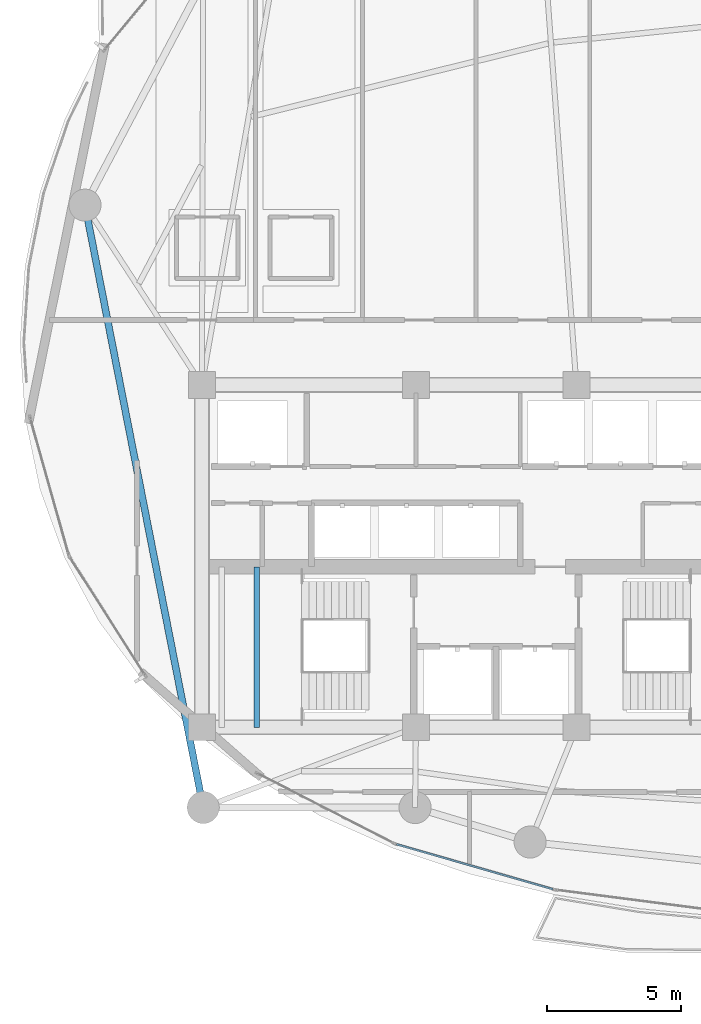
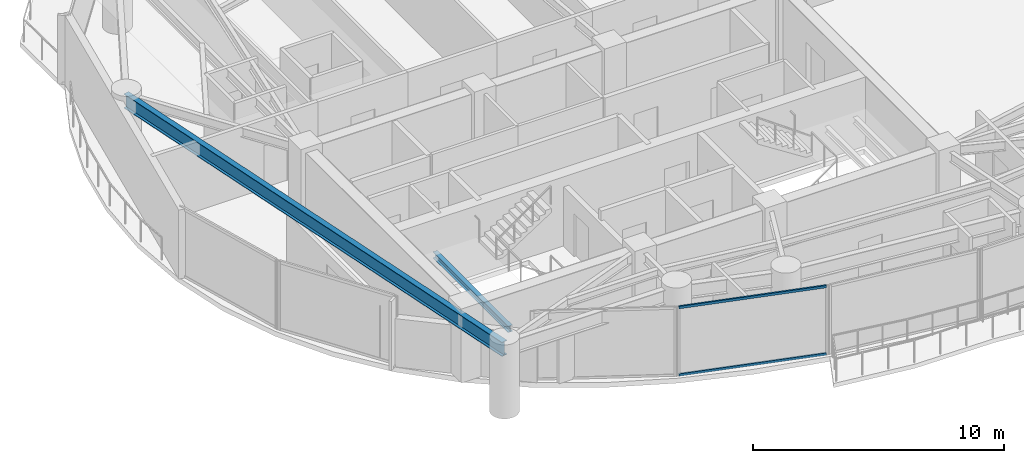
# One storey, part 4 of 28: 2 beams, 2 members, 1 element without a shape of its own.
"""IFC4 building model written with IfcOpenShell, lengths in metres."""

from ifc_helpers import new_model, si_unit, direction, frame, origin, origin_2d, place, context, subcontext, project, spatial, hollow_rectangle, i_section, extrude, material, layer, layer_set, material_profile, profile_set, type_object, element, aggregate, save


model = new_model("IFC4")

# Units and contexts
model_context = context("Model", 3, precision=1e-05, world=origin(), true_north=direction((0.0, 1.0)))
body_context = subcontext(model_context, "Body", "Model", "MODEL_VIEW")
ifc_project = project(units=[si_unit("LENGTHUNIT", "METRE"), si_unit("AREAUNIT", "SQUARE_METRE"), si_unit("VOLUMEUNIT", "CUBIC_METRE"), si_unit("PLANEANGLEUNIT", "RADIAN"), si_unit("MASSUNIT", "GRAM", prefix="KILO")], contexts=[model_context])

# Site, building, storey
site_placement = place(None, origin())
site = spatial("IfcSite", under=ifc_project, at=site_placement, CompositionType="ELEMENT")
building_placement = place(site_placement, origin())
building = spatial("IfcBuilding", under=site, at=building_placement, Name="Kazevale Care Tower and Concert Hall", CompositionType="ELEMENT")
storey_placement = place(building_placement, frame((0.0, 0.0, 106.199951171875)))
storey = spatial("IfcBuildingStorey", under=building, at=storey_placement, Name="L27", CompositionType="ELEMENT", Elevation=106.199951171875)

# Curtain wall, members
ifc_material_1 = material(Name="Aluminium 6063-T6 and Low-E Glass", Category="aluminium")
ifc_layer = layer(ifc_material_1, 0.179931640625)
ifc_layer_set = layer_set([ifc_layer], Name="Aluminium 6063-T6 and Low-E Glass")
curtain_wall_type = type_object("IfcCurtainWallType", Name="Sheltered Concave Balcony Curtain Wall CW-5", PredefinedType="NOTDEFINED", material=ifc_layer_set)
curtain_wall_placement = place(storey_placement, origin())
curtain_wall = element("IfcCurtainWall", 1, at=curtain_wall_placement, inside=storey, type_object=curtain_wall_type, Name="cw:L27:f08", PredefinedType="NOTDEFINED")
ifc_material_2 = material(Name="Aluminium 6063-T6", Category="aluminium")
ifc_material_profile_1 = material_profile(ifc_material_2, hollow_rectangle(XDim=0.074951171875, YDim=0.1201171875, WallThickness=0.00390625, at=origin_2d()), Name="ALU75x120x4")
ifc_profile_set_1 = profile_set([ifc_material_profile_1], Name="Aluminium 6063-T6")
member_type = type_object("IfcMemberType", Name="CW-5 Transom ALU75x120x4", PredefinedType="USERDEFINED", material=ifc_profile_set_1)
member_1_placement = place(storey_placement, frame((35.121826171875, 17.545654296875, 0.03759765625), z_axis=(-0.961067703236, 0.276312992451, 0.0), x_axis=(-0.276312992451, -0.961067703236, 0.0)))
member_1 = element("IfcMember", 2, at=member_1_placement, type_object=member_type, Name="CW-5 transom 1.1", ObjectType="TRANSOM", PredefinedType="USERDEFINED", context=body_context, shape_type="SweptSolid", body=[
    extrude(hollow_rectangle(XDim=0.074951171875, YDim=0.1201171875, WallThickness=0.00390625, at=origin_2d()), origin(), (0.0, 0.0, 1.0), 6.075439453125),
])
member_2_placement = place(storey_placement, frame((35.121826171875, 17.545654296875, 3.322509765625), z_axis=(-0.961067703236, 0.276312992451, 0.0), x_axis=(-0.276312992451, -0.961067703236, 0.0)))
member_2 = element("IfcMember", 3, at=member_2_placement, type_object=member_type, Name="CW-5 transom 1.2", ObjectType="TRANSOM", PredefinedType="USERDEFINED", context=body_context, shape_type="SweptSolid", body=[
    extrude(hollow_rectangle(XDim=0.074951171875, YDim=0.1201171875, WallThickness=0.00390625, at=origin_2d()), origin(), (0.0, 0.0, 1.0), 6.075439453125),
])
aggregate(curtain_wall, [member_1, member_2])

# Beams
ifc_material_3 = material(Name="Steel ASTM A572 Gr 50", Category="steel")
ifc_material_profile_2 = material_profile(ifc_material_3, i_section(OverallWidth=0.202880859375, OverallDepth=0.302978515625, WebThickness=0.007568359375, FlangeThickness=0.01318359375, at=origin_2d()), Name="W310x60")
ifc_profile_set_2 = profile_set([ifc_material_profile_2], Name="Steel ASTM A572 Gr 50")
beam_type_1 = type_object("IfcBeamType", Name="Stair & Balcony Trimmer W310x60", PredefinedType="BEAM", material=ifc_profile_set_2)
beam_1_placement = place(storey_placement, frame((24.050048828125, 23.60009765625, 1.448486328125), z_axis=(0.0, 1.0, 0.0), x_axis=(-1.0, 0.0, 0.0)))
element("IfcBeam", 4, at=beam_1_placement, inside=storey, type_object=beam_type_1, Name="beam:L27:sttrim:ST1b", PredefinedType="BEAM", context=body_context, shape_type="SweptSolid", body=[
    extrude(i_section(OverallWidth=0.202880859375, OverallDepth=0.302978515625, WebThickness=0.007568359375, FlangeThickness=0.01318359375, at=origin_2d()), origin(), (0.0, 0.0, 1.0), 6.0),
])
ifc_material_profile_3 = material_profile(ifc_material_3, i_section(OverallWidth=0.256103515625, OverallDepth=0.693115234375, WebThickness=0.014404296875, FlangeThickness=0.023681640625, at=origin_2d()), Name="W690x170")
ifc_profile_set_3 = profile_set([ifc_material_profile_3], Name="Steel ASTM A572 Gr 50")
beam_type_2 = type_object("IfcBeamType", Name="Waist Ring Beam W690x170", PredefinedType="BEAM", material=ifc_profile_set_3)
beam_2_placement = place(storey_placement, frame((17.6298828125, 43.1201171875, 3.013427734375), z_axis=(0.192602267784, -0.9812769061, 0.0), x_axis=(0.9812769061, 0.192602267784, 0.0)))
element("IfcBeam", 5, at=beam_2_placement, inside=storey, type_object=beam_type_2, Name="beam:L27:ring:09", PredefinedType="BEAM", context=body_context, shape_type="SweptSolid", body=[
    extrude(i_section(OverallWidth=0.256103515625, OverallDepth=0.693115234375, WebThickness=0.014404296875, FlangeThickness=0.023681640625, at=origin_2d()), origin(), (0.0, 0.0, 1.0), 22.94970703125),
])

save(model, "model.ifc")
